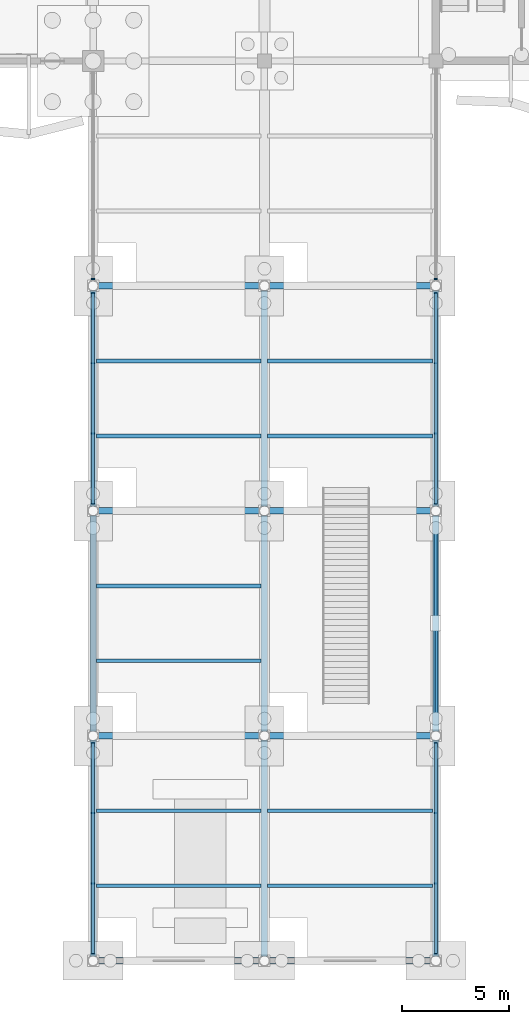
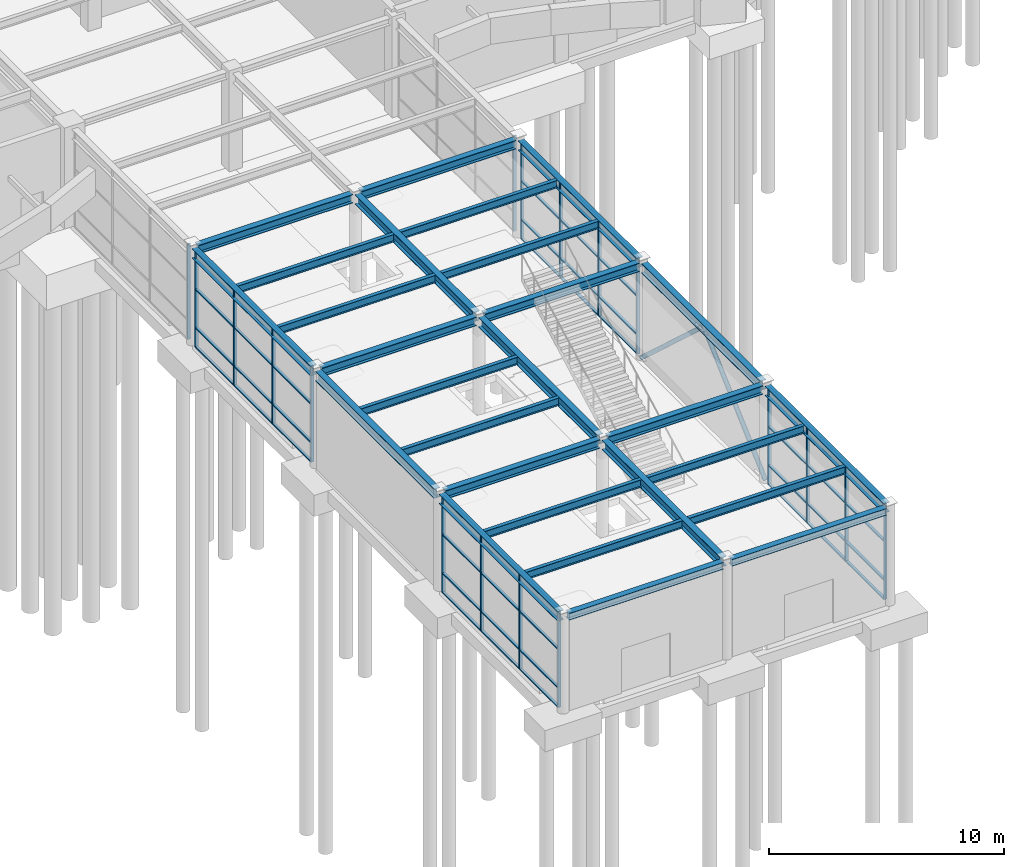
# One storey, part 41 of 85: 36 members, 27 beams, 6 elements without a shape of their own.
"""IFC4 building model written with IfcOpenShell, lengths in metres."""

from ifc_helpers import new_model, si_unit, direction, frame, origin, origin_2d, place, context, subcontext, project, spatial, rectangle, hollow_circle, i_section, extrude, material, layer, layer_set, material_profile, profile_set, type_object, element, aggregate, save


model = new_model("IFC4")

# Units and contexts
model_context = context("Model", 3, precision=1e-05, world=origin(), true_north=direction((0.0, 1.0)))
body_context = subcontext(model_context, "Body", "Model", "MODEL_VIEW")
ifc_project = project(units=[si_unit("LENGTHUNIT", "METRE"), si_unit("AREAUNIT", "SQUARE_METRE"), si_unit("VOLUMEUNIT", "CUBIC_METRE"), si_unit("PLANEANGLEUNIT", "RADIAN"), si_unit("MASSUNIT", "GRAM", prefix="KILO")], contexts=[model_context])

# Site, building, storey
site_placement = place(None, origin())
site = spatial("IfcSite", under=ifc_project, at=site_placement, CompositionType="ELEMENT")
building_placement = place(site_placement, origin())
building = spatial("IfcBuilding", under=site, at=building_placement, Name="Keelwater Ferry Terminal", CompositionType="ELEMENT")
storey_placement = place(building_placement, origin())
storey = spatial("IfcBuildingStorey", under=building, at=storey_placement, Name="L00", CompositionType="ELEMENT", Elevation=0.0)

# Members
ifc_material_1 = material(Name="Steel S355", Category="steel")
ifc_material_profile_1 = material_profile(ifc_material_1, hollow_circle(Radius=0.109619140625, WallThickness=0.010009765625, at=origin_2d()), Name="CHS 219.1x10")
ifc_profile_set_1 = profile_set([ifc_material_profile_1], Name="Steel S355")
member_type_1 = type_object("IfcMemberType", Name="BR4 CHS 219.1x10", PredefinedType="BRACE", material=ifc_profile_set_1)
for number, where, z_axis, x_axis, name in (
    (1, (148.0, 10.5, 0.0), (0.0, 0.737324908728, 0.675538288307), (-1.0, 0.0, 0.0), "Structural Member MB-L00-0593"),
    (2, (148.0, 21.0, 0.0), (0.0, -0.737324908728, 0.675538288307), (1.0, 0.0, 0.0), "Structural Member MB-L00-0594"),
):
    element("IfcMember", number, at=place(storey_placement, frame(where, z_axis=z_axis, x_axis=x_axis)), inside=storey, type_object=member_type_1, Name=name, PredefinedType="BRACE", context=body_context, shape_type="SweptSolid", body=[
        extrude(hollow_circle(Radius=0.109619140625, WallThickness=0.010009765625, at=origin_2d()), origin(), (0.0, 0.0, 1.0), 7.120361328125),
    ])

# Curtain wall, members
ifc_material_2 = material(Name="Thermally broken unitised aluminium and triple glass", Category="aluminium")
ifc_layer_1 = layer(ifc_material_2, 0.179931640625)
ifc_layer_set_1 = layer_set([ifc_layer_1], Name="Thermally broken unitised aluminium and triple glass")
curtain_wall_type_1 = type_object("IfcCurtainWallType", Name="CW-08 Unitised Curtain Wall 9842x4950", PredefinedType="USERDEFINED", material=ifc_layer_set_1)
curtain_wall_1_placement = place(storey_placement, origin())
curtain_wall_1 = element("IfcCurtainWall", 3, at=curtain_wall_1_placement, inside=storey, type_object=curtain_wall_type_1, Name="Unitised Curtain Wall CW-L00-059", ObjectType="UNITISED CURTAIN WALL", PredefinedType="USERDEFINED")
ifc_material_3 = material(Name="Aluminium mullion", Category="aluminium")
ifc_material_profile_2 = material_profile(ifc_material_3, rectangle(XDim=0.06005859375, YDim=0.14990234375, at=origin_2d()), Name="CWM-03")
ifc_profile_set_2 = profile_set([ifc_material_profile_2], Name="Aluminium mullion")
member_type_2 = type_object("IfcMemberType", Name="CWM-03 Curtain Mullion 60x150", PredefinedType="MULLION", material=ifc_profile_set_2)
member_1_placement = place(storey_placement, frame((132.0, 0.3291015625, 0.0), z_axis=(0.0, 0.0, 1.0), x_axis=(0.0, 1.0, 0.0)))
member_1 = element("IfcMember", 4, at=member_1_placement, type_object=member_type_2, Name="CW-L00-059 Mullion 1", PredefinedType="MULLION", context=body_context, shape_type="SweptSolid", body=[
    extrude(rectangle(XDim=0.06005859375, YDim=0.14990234375, at=origin_2d()), origin(), (0.0, 0.0, 1.0), 4.949951171875),
])
member_2_placement = place(storey_placement, frame((132.0, 3.609619140625, 0.0), z_axis=(0.0, 0.0, 1.0), x_axis=(0.0, 1.0, 0.0)))
member_2 = element("IfcMember", 5, at=member_2_placement, type_object=member_type_2, Name="CW-L00-059 Mullion 2", PredefinedType="MULLION", context=body_context, shape_type="SweptSolid", body=[
    extrude(rectangle(XDim=0.06005859375, YDim=0.14990234375, at=origin_2d()), origin(), (0.0, 0.0, 1.0), 4.949951171875),
])
member_3_placement = place(storey_placement, frame((132.0, 6.890380859375, 0.0), z_axis=(0.0, 0.0, 1.0), x_axis=(0.0, 1.0, 0.0)))
member_3 = element("IfcMember", 6, at=member_3_placement, type_object=member_type_2, Name="CW-L00-059 Mullion 3", PredefinedType="MULLION", context=body_context, shape_type="SweptSolid", body=[
    extrude(rectangle(XDim=0.06005859375, YDim=0.14990234375, at=origin_2d()), origin(), (0.0, 0.0, 1.0), 4.949951171875),
])
member_4_placement = place(storey_placement, frame((132.0, 10.1708984375, 0.0), z_axis=(0.0, 0.0, 1.0), x_axis=(0.0, 1.0, 0.0)))
member_4 = element("IfcMember", 7, at=member_4_placement, type_object=member_type_2, Name="CW-L00-059 Mullion 4", PredefinedType="MULLION", context=body_context, shape_type="SweptSolid", body=[
    extrude(rectangle(XDim=0.06005859375, YDim=0.14990234375, at=origin_2d()), origin(), (0.0, 0.0, 1.0), 4.949951171875),
])

curtain_wall_2_placement = place(storey_placement, origin())
curtain_wall_2 = element("IfcCurtainWall", 8, at=curtain_wall_2_placement, inside=storey, type_object=curtain_wall_type_1, Name="Unitised Curtain Wall CW-L00-061", ObjectType="UNITISED CURTAIN WALL", PredefinedType="USERDEFINED")
member_5_placement = place(storey_placement, frame((132.0, 21.3291015625, 0.0), z_axis=(0.0, 0.0, 1.0), x_axis=(0.0, 1.0, 0.0)))
member_5 = element("IfcMember", 9, at=member_5_placement, type_object=member_type_2, Name="CW-L00-061 Mullion 1", PredefinedType="MULLION", context=body_context, shape_type="SweptSolid", body=[
    extrude(rectangle(XDim=0.06005859375, YDim=0.14990234375, at=origin_2d()), origin(), (0.0, 0.0, 1.0), 4.949951171875),
])
member_6_placement = place(storey_placement, frame((132.0, 24.609619140625, 0.0), z_axis=(0.0, 0.0, 1.0), x_axis=(0.0, 1.0, 0.0)))
member_6 = element("IfcMember", 10, at=member_6_placement, type_object=member_type_2, Name="CW-L00-061 Mullion 2", PredefinedType="MULLION", context=body_context, shape_type="SweptSolid", body=[
    extrude(rectangle(XDim=0.06005859375, YDim=0.14990234375, at=origin_2d()), origin(), (0.0, 0.0, 1.0), 4.949951171875),
])
member_7_placement = place(storey_placement, frame((132.0, 27.890380859375, 0.0), z_axis=(0.0, 0.0, 1.0), x_axis=(0.0, 1.0, 0.0)))
member_7 = element("IfcMember", 11, at=member_7_placement, type_object=member_type_2, Name="CW-L00-061 Mullion 3", PredefinedType="MULLION", context=body_context, shape_type="SweptSolid", body=[
    extrude(rectangle(XDim=0.06005859375, YDim=0.14990234375, at=origin_2d()), origin(), (0.0, 0.0, 1.0), 4.949951171875),
])
member_8_placement = place(storey_placement, frame((132.0, 31.1708984375, 0.0), z_axis=(0.0, 0.0, 1.0), x_axis=(0.0, 1.0, 0.0)))
member_8 = element("IfcMember", 12, at=member_8_placement, type_object=member_type_2, Name="CW-L00-061 Mullion 4", PredefinedType="MULLION", context=body_context, shape_type="SweptSolid", body=[
    extrude(rectangle(XDim=0.06005859375, YDim=0.14990234375, at=origin_2d()), origin(), (0.0, 0.0, 1.0), 4.949951171875),
])

# Curtain wall, member
ifc_material_4 = material(Name="Thermally broken unitised aluminium and triple glass", Category="aluminium")
ifc_layer_2 = layer(ifc_material_4, 0.179931640625)
ifc_layer_set_2 = layer_set([ifc_layer_2], Name="Thermally broken unitised aluminium and triple glass")
curtain_wall_type_2 = type_object("IfcCurtainWallType", Name="CW-12 Unitised Curtain Wall 9596x4950", PredefinedType="USERDEFINED", material=ifc_layer_set_2)
curtain_wall_3_placement = place(storey_placement, origin())
curtain_wall_3 = element("IfcCurtainWall", 13, at=curtain_wall_3_placement, inside=storey, type_object=curtain_wall_type_2, Name="Unitised Curtain Wall CW-L00-063", ObjectType="UNITISED CURTAIN WALL", PredefinedType="USERDEFINED")
member_9_placement = place(storey_placement, frame((132.0, 31.8291015625, 0.0), z_axis=(0.0, 0.0, 1.0), x_axis=(0.0, 1.0, 0.0)))
member_9 = element("IfcMember", 14, at=member_9_placement, type_object=member_type_2, Name="CW-L00-063 Mullion 1", PredefinedType="MULLION", context=body_context, shape_type="SweptSolid", body=[
    extrude(rectangle(XDim=0.06005859375, YDim=0.14990234375, at=origin_2d()), origin(), (0.0, 0.0, 1.0), 4.949951171875),
])
aggregate(curtain_wall_3, [member_9])

# Curtain wall, members
curtain_wall_4_placement = place(storey_placement, origin())
curtain_wall_4 = element("IfcCurtainWall", 15, at=curtain_wall_4_placement, inside=storey, type_object=curtain_wall_type_1, Name="Unitised Curtain Wall CW-L00-065", ObjectType="UNITISED CURTAIN WALL", PredefinedType="USERDEFINED")
member_10_placement = place(storey_placement, frame((148.0, 0.3291015625, 0.0), z_axis=(0.0, 0.0, 1.0), x_axis=(0.0, 1.0, 0.0)))
member_10 = element("IfcMember", 16, at=member_10_placement, type_object=member_type_2, Name="CW-L00-065 Mullion 1", PredefinedType="MULLION", context=body_context, shape_type="SweptSolid", body=[
    extrude(rectangle(XDim=0.06005859375, YDim=0.14990234375, at=origin_2d()), origin(), (0.0, 0.0, 1.0), 4.949951171875),
])
member_11_placement = place(storey_placement, frame((148.0, 3.609619140625, 0.0), z_axis=(0.0, 0.0, 1.0), x_axis=(0.0, 1.0, 0.0)))
member_11 = element("IfcMember", 17, at=member_11_placement, type_object=member_type_2, Name="CW-L00-065 Mullion 2", PredefinedType="MULLION", context=body_context, shape_type="SweptSolid", body=[
    extrude(rectangle(XDim=0.06005859375, YDim=0.14990234375, at=origin_2d()), origin(), (0.0, 0.0, 1.0), 4.949951171875),
])
member_12_placement = place(storey_placement, frame((148.0, 6.890380859375, 0.0), z_axis=(0.0, 0.0, 1.0), x_axis=(0.0, 1.0, 0.0)))
member_12 = element("IfcMember", 18, at=member_12_placement, type_object=member_type_2, Name="CW-L00-065 Mullion 3", PredefinedType="MULLION", context=body_context, shape_type="SweptSolid", body=[
    extrude(rectangle(XDim=0.06005859375, YDim=0.14990234375, at=origin_2d()), origin(), (0.0, 0.0, 1.0), 4.949951171875),
])
member_13_placement = place(storey_placement, frame((148.0, 10.1708984375, 0.0), z_axis=(0.0, 0.0, 1.0), x_axis=(0.0, 1.0, 0.0)))
member_13 = element("IfcMember", 19, at=member_13_placement, type_object=member_type_2, Name="CW-L00-065 Mullion 4", PredefinedType="MULLION", context=body_context, shape_type="SweptSolid", body=[
    extrude(rectangle(XDim=0.06005859375, YDim=0.14990234375, at=origin_2d()), origin(), (0.0, 0.0, 1.0), 4.949951171875),
])

curtain_wall_5_placement = place(storey_placement, origin())
curtain_wall_5 = element("IfcCurtainWall", 20, at=curtain_wall_5_placement, inside=storey, type_object=curtain_wall_type_1, Name="Unitised Curtain Wall CW-L00-067", ObjectType="UNITISED CURTAIN WALL", PredefinedType="USERDEFINED")
member_14_placement = place(storey_placement, frame((148.0, 21.3291015625, 0.0), z_axis=(0.0, 0.0, 1.0), x_axis=(0.0, 1.0, 0.0)))
member_14 = element("IfcMember", 21, at=member_14_placement, type_object=member_type_2, Name="CW-L00-067 Mullion 1", PredefinedType="MULLION", context=body_context, shape_type="SweptSolid", body=[
    extrude(rectangle(XDim=0.06005859375, YDim=0.14990234375, at=origin_2d()), origin(), (0.0, 0.0, 1.0), 4.949951171875),
])
member_15_placement = place(storey_placement, frame((148.0, 24.609619140625, 0.0), z_axis=(0.0, 0.0, 1.0), x_axis=(0.0, 1.0, 0.0)))
member_15 = element("IfcMember", 22, at=member_15_placement, type_object=member_type_2, Name="CW-L00-067 Mullion 2", PredefinedType="MULLION", context=body_context, shape_type="SweptSolid", body=[
    extrude(rectangle(XDim=0.06005859375, YDim=0.14990234375, at=origin_2d()), origin(), (0.0, 0.0, 1.0), 4.949951171875),
])
member_16_placement = place(storey_placement, frame((148.0, 27.890380859375, 0.0), z_axis=(0.0, 0.0, 1.0), x_axis=(0.0, 1.0, 0.0)))
member_16 = element("IfcMember", 23, at=member_16_placement, type_object=member_type_2, Name="CW-L00-067 Mullion 3", PredefinedType="MULLION", context=body_context, shape_type="SweptSolid", body=[
    extrude(rectangle(XDim=0.06005859375, YDim=0.14990234375, at=origin_2d()), origin(), (0.0, 0.0, 1.0), 4.949951171875),
])
member_17_placement = place(storey_placement, frame((148.0, 31.1708984375, 0.0), z_axis=(0.0, 0.0, 1.0), x_axis=(0.0, 1.0, 0.0)))
member_17 = element("IfcMember", 24, at=member_17_placement, type_object=member_type_2, Name="CW-L00-067 Mullion 4", PredefinedType="MULLION", context=body_context, shape_type="SweptSolid", body=[
    extrude(rectangle(XDim=0.06005859375, YDim=0.14990234375, at=origin_2d()), origin(), (0.0, 0.0, 1.0), 4.949951171875),
])

# Curtain wall, member
ifc_material_5 = material(Name="Thermally broken unitised aluminium and triple glass", Category="aluminium")
ifc_layer_3 = layer(ifc_material_5, 0.179931640625)
ifc_layer_set_3 = layer_set([ifc_layer_3], Name="Thermally broken unitised aluminium and triple glass")
curtain_wall_type_3 = type_object("IfcCurtainWallType", Name="CW-10 Unitised Curtain Wall 9771x4950", PredefinedType="USERDEFINED", material=ifc_layer_set_3)
curtain_wall_6_placement = place(storey_placement, origin())
curtain_wall_6 = element("IfcCurtainWall", 25, at=curtain_wall_6_placement, inside=storey, type_object=curtain_wall_type_3, Name="Unitised Curtain Wall CW-L00-069", ObjectType="UNITISED CURTAIN WALL", PredefinedType="USERDEFINED")
member_18_placement = place(storey_placement, frame((148.0, 31.8291015625, 0.0), z_axis=(0.0, 0.0, 1.0), x_axis=(0.0, 1.0, 0.0)))
member_18 = element("IfcMember", 26, at=member_18_placement, type_object=member_type_2, Name="CW-L00-069 Mullion 1", PredefinedType="MULLION", context=body_context, shape_type="SweptSolid", body=[
    extrude(rectangle(XDim=0.06005859375, YDim=0.14990234375, at=origin_2d()), origin(), (0.0, 0.0, 1.0), 4.949951171875),
])
aggregate(curtain_wall_6, [member_18])

# Member
ifc_material_6 = material(Name="Aluminium mullion", Category="aluminium")
ifc_material_profile_3 = material_profile(ifc_material_6, rectangle(XDim=0.135009765625, YDim=0.06005859375, at=origin_2d()), Name="CWT-03")
ifc_profile_set_3 = profile_set([ifc_material_profile_3], Name="Aluminium mullion")
member_type_3 = type_object("IfcMemberType", Name="CWT-03 Curtain Transom 60x135", PredefinedType="USERDEFINED", material=ifc_profile_set_3)
member_19_placement = place(storey_placement, frame((132.0, 0.3291015625, 0.0), z_axis=(0.0, 1.0, 0.0), x_axis=(-1.0, 0.0, 0.0)))
member_19 = element("IfcMember", 27, at=member_19_placement, type_object=member_type_3, Name="CW-L00-059 Transom 1", ObjectType="TRANSOM", PredefinedType="USERDEFINED", context=body_context, shape_type="SweptSolid", body=[
    extrude(rectangle(XDim=0.135009765625, YDim=0.06005859375, at=origin_2d()), origin(), (0.0, 0.0, 1.0), 9.841796875),
])

member_20_placement = place(storey_placement, frame((132.0, 0.3291015625, 1.0), z_axis=(0.0, 1.0, 0.0), x_axis=(-1.0, 0.0, 0.0)))
member_20 = element("IfcMember", 28, at=member_20_placement, type_object=member_type_3, Name="CW-L00-059 Transom 2", ObjectType="TRANSOM", PredefinedType="USERDEFINED", context=body_context, shape_type="SweptSolid", body=[
    extrude(rectangle(XDim=0.135009765625, YDim=0.06005859375, at=origin_2d()), origin(), (0.0, 0.0, 1.0), 9.841796875),
])

member_21_placement = place(storey_placement, frame((132.0, 0.3291015625, 3.0), z_axis=(0.0, 1.0, 0.0), x_axis=(-1.0, 0.0, 0.0)))
member_21 = element("IfcMember", 29, at=member_21_placement, type_object=member_type_3, Name="CW-L00-059 Transom 3", ObjectType="TRANSOM", PredefinedType="USERDEFINED", context=body_context, shape_type="SweptSolid", body=[
    extrude(rectangle(XDim=0.135009765625, YDim=0.06005859375, at=origin_2d()), origin(), (0.0, 0.0, 1.0), 9.841796875),
])

member_22_placement = place(storey_placement, frame((132.0, 0.3291015625, 4.949951171875), z_axis=(0.0, 1.0, 0.0), x_axis=(-1.0, 0.0, 0.0)))
member_22 = element("IfcMember", 30, at=member_22_placement, type_object=member_type_3, Name="CW-L00-059 Transom 4", ObjectType="TRANSOM", PredefinedType="USERDEFINED", context=body_context, shape_type="SweptSolid", body=[
    extrude(rectangle(XDim=0.135009765625, YDim=0.06005859375, at=origin_2d()), origin(), (0.0, 0.0, 1.0), 9.841796875),
])

aggregate(curtain_wall_1, [member_1, member_2, member_3, member_4, member_19, member_20, member_21, member_22])

member_23_placement = place(storey_placement, frame((132.0, 21.3291015625, 0.0), z_axis=(0.0, 1.0, 0.0), x_axis=(-1.0, 0.0, 0.0)))
member_23 = element("IfcMember", 31, at=member_23_placement, type_object=member_type_3, Name="CW-L00-061 Transom 1", ObjectType="TRANSOM", PredefinedType="USERDEFINED", context=body_context, shape_type="SweptSolid", body=[
    extrude(rectangle(XDim=0.135009765625, YDim=0.06005859375, at=origin_2d()), origin(), (0.0, 0.0, 1.0), 9.841796875),
])

member_24_placement = place(storey_placement, frame((132.0, 21.3291015625, 1.0), z_axis=(0.0, 1.0, 0.0), x_axis=(-1.0, 0.0, 0.0)))
member_24 = element("IfcMember", 32, at=member_24_placement, type_object=member_type_3, Name="CW-L00-061 Transom 2", ObjectType="TRANSOM", PredefinedType="USERDEFINED", context=body_context, shape_type="SweptSolid", body=[
    extrude(rectangle(XDim=0.135009765625, YDim=0.06005859375, at=origin_2d()), origin(), (0.0, 0.0, 1.0), 9.841796875),
])

member_25_placement = place(storey_placement, frame((132.0, 21.3291015625, 3.0), z_axis=(0.0, 1.0, 0.0), x_axis=(-1.0, 0.0, 0.0)))
member_25 = element("IfcMember", 33, at=member_25_placement, type_object=member_type_3, Name="CW-L00-061 Transom 3", ObjectType="TRANSOM", PredefinedType="USERDEFINED", context=body_context, shape_type="SweptSolid", body=[
    extrude(rectangle(XDim=0.135009765625, YDim=0.06005859375, at=origin_2d()), origin(), (0.0, 0.0, 1.0), 9.841796875),
])

member_26_placement = place(storey_placement, frame((132.0, 21.3291015625, 4.949951171875), z_axis=(0.0, 1.0, 0.0), x_axis=(-1.0, 0.0, 0.0)))
member_26 = element("IfcMember", 34, at=member_26_placement, type_object=member_type_3, Name="CW-L00-061 Transom 4", ObjectType="TRANSOM", PredefinedType="USERDEFINED", context=body_context, shape_type="SweptSolid", body=[
    extrude(rectangle(XDim=0.135009765625, YDim=0.06005859375, at=origin_2d()), origin(), (0.0, 0.0, 1.0), 9.841796875),
])

aggregate(curtain_wall_2, [member_5, member_6, member_7, member_8, member_23, member_24, member_25, member_26])

member_27_placement = place(storey_placement, frame((148.0, 0.3291015625, 0.0), z_axis=(0.0, 1.0, 0.0), x_axis=(-1.0, 0.0, 0.0)))
member_27 = element("IfcMember", 35, at=member_27_placement, type_object=member_type_3, Name="CW-L00-065 Transom 1", ObjectType="TRANSOM", PredefinedType="USERDEFINED", context=body_context, shape_type="SweptSolid", body=[
    extrude(rectangle(XDim=0.135009765625, YDim=0.06005859375, at=origin_2d()), origin(), (0.0, 0.0, 1.0), 9.841796875),
])

member_28_placement = place(storey_placement, frame((148.0, 0.3291015625, 1.0), z_axis=(0.0, 1.0, 0.0), x_axis=(-1.0, 0.0, 0.0)))
member_28 = element("IfcMember", 36, at=member_28_placement, type_object=member_type_3, Name="CW-L00-065 Transom 2", ObjectType="TRANSOM", PredefinedType="USERDEFINED", context=body_context, shape_type="SweptSolid", body=[
    extrude(rectangle(XDim=0.135009765625, YDim=0.06005859375, at=origin_2d()), origin(), (0.0, 0.0, 1.0), 9.841796875),
])

member_29_placement = place(storey_placement, frame((148.0, 0.3291015625, 3.0), z_axis=(0.0, 1.0, 0.0), x_axis=(-1.0, 0.0, 0.0)))
member_29 = element("IfcMember", 37, at=member_29_placement, type_object=member_type_3, Name="CW-L00-065 Transom 3", ObjectType="TRANSOM", PredefinedType="USERDEFINED", context=body_context, shape_type="SweptSolid", body=[
    extrude(rectangle(XDim=0.135009765625, YDim=0.06005859375, at=origin_2d()), origin(), (0.0, 0.0, 1.0), 9.841796875),
])

member_30_placement = place(storey_placement, frame((148.0, 0.3291015625, 4.949951171875), z_axis=(0.0, 1.0, 0.0), x_axis=(-1.0, 0.0, 0.0)))
member_30 = element("IfcMember", 38, at=member_30_placement, type_object=member_type_3, Name="CW-L00-065 Transom 4", ObjectType="TRANSOM", PredefinedType="USERDEFINED", context=body_context, shape_type="SweptSolid", body=[
    extrude(rectangle(XDim=0.135009765625, YDim=0.06005859375, at=origin_2d()), origin(), (0.0, 0.0, 1.0), 9.841796875),
])

aggregate(curtain_wall_4, [member_10, member_11, member_12, member_13, member_27, member_28, member_29, member_30])

member_31_placement = place(storey_placement, frame((148.0, 21.3291015625, 0.0), z_axis=(0.0, 1.0, 0.0), x_axis=(-1.0, 0.0, 0.0)))
member_31 = element("IfcMember", 39, at=member_31_placement, type_object=member_type_3, Name="CW-L00-067 Transom 1", ObjectType="TRANSOM", PredefinedType="USERDEFINED", context=body_context, shape_type="SweptSolid", body=[
    extrude(rectangle(XDim=0.135009765625, YDim=0.06005859375, at=origin_2d()), origin(), (0.0, 0.0, 1.0), 9.841796875),
])

member_32_placement = place(storey_placement, frame((148.0, 21.3291015625, 1.0), z_axis=(0.0, 1.0, 0.0), x_axis=(-1.0, 0.0, 0.0)))
member_32 = element("IfcMember", 40, at=member_32_placement, type_object=member_type_3, Name="CW-L00-067 Transom 2", ObjectType="TRANSOM", PredefinedType="USERDEFINED", context=body_context, shape_type="SweptSolid", body=[
    extrude(rectangle(XDim=0.135009765625, YDim=0.06005859375, at=origin_2d()), origin(), (0.0, 0.0, 1.0), 9.841796875),
])

member_33_placement = place(storey_placement, frame((148.0, 21.3291015625, 3.0), z_axis=(0.0, 1.0, 0.0), x_axis=(-1.0, 0.0, 0.0)))
member_33 = element("IfcMember", 41, at=member_33_placement, type_object=member_type_3, Name="CW-L00-067 Transom 3", ObjectType="TRANSOM", PredefinedType="USERDEFINED", context=body_context, shape_type="SweptSolid", body=[
    extrude(rectangle(XDim=0.135009765625, YDim=0.06005859375, at=origin_2d()), origin(), (0.0, 0.0, 1.0), 9.841796875),
])

member_34_placement = place(storey_placement, frame((148.0, 21.3291015625, 4.949951171875), z_axis=(0.0, 1.0, 0.0), x_axis=(-1.0, 0.0, 0.0)))
member_34 = element("IfcMember", 42, at=member_34_placement, type_object=member_type_3, Name="CW-L00-067 Transom 4", ObjectType="TRANSOM", PredefinedType="USERDEFINED", context=body_context, shape_type="SweptSolid", body=[
    extrude(rectangle(XDim=0.135009765625, YDim=0.06005859375, at=origin_2d()), origin(), (0.0, 0.0, 1.0), 9.841796875),
])

aggregate(curtain_wall_5, [member_14, member_15, member_16, member_17, member_31, member_32, member_33, member_34])

# Beams
ifc_material_7 = material(Name="Steel S355", Category="steel")
ifc_material_profile_4 = material_profile(ifc_material_7, i_section(OverallWidth=0.300048828125, OverallDepth=0.5, WebThickness=0.014404296875, FlangeThickness=0.028076171875, at=origin_2d()), Name="HEB 500")
ifc_profile_set_4 = profile_set([ifc_material_profile_4], Name="Steel S355")
beam_type_1 = type_object("IfcBeamType", Name="G5 HEB 500", PredefinedType="BEAM", material=ifc_profile_set_4)
for number, where, z_axis, x_axis, name in (
    (43, (140.0, 0.2080078125, 4.81005859375), (0.0, 1.0, 0.0), (-1.0, 0.0, 0.0), "Beam BM-L00-0256"),
    (44, (140.0, 10.7080078125, 4.81005859375), (0.0, 1.0, 0.0), (-1.0, 0.0, 0.0), "Beam BM-L00-0257"),
    (45, (140.0, 21.2080078125, 4.81005859375), (0.0, 1.0, 0.0), (-1.0, 0.0, 0.0), "Beam BM-L00-0258"),
):
    element("IfcBeam", number, at=place(storey_placement, frame(where, z_axis=z_axis, x_axis=x_axis)), inside=storey, type_object=beam_type_1, Name=name, PredefinedType="BEAM", context=body_context, shape_type="SweptSolid", body=[
        extrude(i_section(OverallWidth=0.300048828125, OverallDepth=0.5, WebThickness=0.014404296875, FlangeThickness=0.028076171875, at=origin_2d()), origin(), (0.0, 0.0, 1.0), 10.083984375),
    ])
ifc_material_8 = material(Name="Steel S355", Category="steel")
ifc_material_profile_5 = material_profile(ifc_material_8, i_section(OverallWidth=0.300048828125, OverallDepth=0.5, WebThickness=0.014404296875, FlangeThickness=0.028076171875, at=origin_2d()), Name="HEB 500")
ifc_profile_set_5 = profile_set([ifc_material_profile_5], Name="Steel S355")
beam_type_2 = type_object("IfcBeamType", Name="G5E HEB 500", PredefinedType="BEAM", material=ifc_profile_set_5)
for number, where, z_axis, x_axis, name in (
    (46, (132.0, 0.2080078125, 4.81005859375), (0.0, 1.0, 0.0), (-1.0, 0.0, 0.0), "Beam BM-L00-0244"),
    (47, (132.0, 10.7080078125, 4.81005859375), (0.0, 1.0, 0.0), (-1.0, 0.0, 0.0), "Beam BM-L00-0245"),
    (48, (132.0, 21.2080078125, 4.81005859375), (0.0, 1.0, 0.0), (-1.0, 0.0, 0.0), "Beam BM-L00-0246"),
    (49, (148.0, 0.2080078125, 4.81005859375), (0.0, 1.0, 0.0), (-1.0, 0.0, 0.0), "Beam BM-L00-0267"),
    (50, (148.0, 10.7080078125, 4.81005859375), (0.0, 1.0, 0.0), (-1.0, 0.0, 0.0), "Beam BM-L00-0268"),
    (51, (148.0, 21.2080078125, 4.81005859375), (0.0, 1.0, 0.0), (-1.0, 0.0, 0.0), "Beam BM-L00-0269"),
):
    element("IfcBeam", number, at=place(storey_placement, frame(where, z_axis=z_axis, x_axis=x_axis)), inside=storey, type_object=beam_type_2, Name=name, PredefinedType="BEAM", context=body_context, shape_type="SweptSolid", body=[
        extrude(i_section(OverallWidth=0.300048828125, OverallDepth=0.5, WebThickness=0.014404296875, FlangeThickness=0.028076171875, at=origin_2d()), origin(), (0.0, 0.0, 1.0), 10.083984375),
    ])
ifc_material_9 = material(Name="Steel S355", Category="steel")
ifc_material_profile_6 = material_profile(ifc_material_9, i_section(OverallWidth=0.300048828125, OverallDepth=0.449951171875, WebThickness=0.013916015625, FlangeThickness=0.02587890625, at=origin_2d()), Name="HEB 450")
ifc_profile_set_6 = profile_set([ifc_material_profile_6], Name="Steel S355")
beam_type_3 = type_object("IfcBeamType", Name="G6 HEB 450", PredefinedType="BEAM", material=ifc_profile_set_6)
for number, where, z_axis, x_axis, name in (
    (52, (132.2080078125, 10.5, 4.8349609375), (1.0, 0.0, 0.0), (0.0, 1.0, 0.0), "Beam BM-L00-0007"),
    (53, (140.2080078125, 10.5, 4.8349609375), (1.0, 0.0, 0.0), (0.0, 1.0, 0.0), "Beam BM-L00-0008"),
    (54, (132.2080078125, 21.0, 4.8349609375), (1.0, 0.0, 0.0), (0.0, 1.0, 0.0), "Beam BM-L00-0011"),
    (55, (140.2080078125, 21.0, 4.8349609375), (1.0, 0.0, 0.0), (0.0, 1.0, 0.0), "Beam BM-L00-0012"),
    (56, (132.2080078125, 31.5, 4.8349609375), (1.0, 0.0, 0.0), (0.0, 1.0, 0.0), "Beam BM-L00-0015"),
    (57, (140.2080078125, 31.5, 4.8349609375), (1.0, 0.0, 0.0), (0.0, 1.0, 0.0), "Beam BM-L00-0016"),
):
    element("IfcBeam", number, at=place(storey_placement, frame(where, z_axis=z_axis, x_axis=x_axis)), inside=storey, type_object=beam_type_3, Name=name, PredefinedType="BEAM", context=body_context, shape_type="SweptSolid", body=[
        extrude(i_section(OverallWidth=0.300048828125, OverallDepth=0.449951171875, WebThickness=0.013916015625, FlangeThickness=0.02587890625, at=origin_2d()), origin(), (0.0, 0.0, 1.0), 7.583984375),
    ])
ifc_material_10 = material(Name="Steel S355", Category="steel")
ifc_material_profile_7 = material_profile(ifc_material_10, i_section(OverallWidth=0.179931640625, OverallDepth=0.39990234375, WebThickness=0.008544921875, FlangeThickness=0.013427734375, at=origin_2d()), Name="IPE 400")
ifc_profile_set_7 = profile_set([ifc_material_profile_7], Name="Steel S355")
beam_type_4 = type_object("IfcBeamType", Name="J5 IPE 400", PredefinedType="JOIST", material=ifc_profile_set_7)
for number, where, z_axis, x_axis, name in (
    (58, (132.14990234375, 3.5, 4.860107421875), (1.0, 0.0, 0.0), (0.0, 1.0, 0.0), "Beam BM-L00-0501"),
    (59, (132.14990234375, 7.0, 4.860107421875), (1.0, 0.0, 0.0), (0.0, 1.0, 0.0), "Beam BM-L00-0502"),
    (60, (132.14990234375, 14.0, 4.860107421875), (1.0, 0.0, 0.0), (0.0, 1.0, 0.0), "Beam BM-L00-0503"),
    (61, (132.14990234375, 17.5, 4.860107421875), (1.0, 0.0, 0.0), (0.0, 1.0, 0.0), "Beam BM-L00-0504"),
    (62, (132.14990234375, 24.5, 4.860107421875), (1.0, 0.0, 0.0), (0.0, 1.0, 0.0), "Beam BM-L00-0505"),
    (63, (132.14990234375, 28.0, 4.860107421875), (1.0, 0.0, 0.0), (0.0, 1.0, 0.0), "Beam BM-L00-0506"),
    (64, (140.14990234375, 3.5, 4.860107421875), (1.0, 0.0, 0.0), (0.0, 1.0, 0.0), "Beam BM-L00-0523"),
    (65, (140.14990234375, 7.0, 4.860107421875), (1.0, 0.0, 0.0), (0.0, 1.0, 0.0), "Beam BM-L00-0524"),
    (66, (140.14990234375, 24.5, 4.860107421875), (1.0, 0.0, 0.0), (0.0, 1.0, 0.0), "Beam BM-L00-0525"),
    (67, (140.14990234375, 28.0, 4.860107421875), (1.0, 0.0, 0.0), (0.0, 1.0, 0.0), "Beam BM-L00-0526"),
):
    element("IfcBeam", number, at=place(storey_placement, frame(where, z_axis=z_axis, x_axis=x_axis)), inside=storey, type_object=beam_type_4, Name=name, PredefinedType="JOIST", context=body_context, shape_type="SweptSolid", body=[
        extrude(i_section(OverallWidth=0.179931640625, OverallDepth=0.39990234375, WebThickness=0.008544921875, FlangeThickness=0.013427734375, at=origin_2d()), origin(), (0.0, 0.0, 1.0), 7.7001953125),
    ])
ifc_material_11 = material(Name="Steel S355", Category="steel")
ifc_material_profile_8 = material_profile(ifc_material_11, i_section(OverallWidth=0.300048828125, OverallDepth=0.35009765625, WebThickness=0.010009765625, FlangeThickness=0.017578125, at=origin_2d()), Name="HEA 360")
ifc_profile_set_8 = profile_set([ifc_material_profile_8], Name="Steel S355")
beam_type_5 = type_object("IfcBeamType", Name="SP1E HEA 360", PredefinedType="SPANDREL", material=ifc_profile_set_8)
for number, where, z_axis, x_axis, name in (
    (68, (132.2080078125, 0.0, 4.885009765625), (1.0, 0.0, 0.0), (0.0, 1.0, 0.0), "Beam BM-L00-0003"),
    (69, (140.2080078125, 0.0, 4.885009765625), (1.0, 0.0, 0.0), (0.0, 1.0, 0.0), "Beam BM-L00-0004"),
):
    element("IfcBeam", number, at=place(storey_placement, frame(where, z_axis=z_axis, x_axis=x_axis)), inside=storey, type_object=beam_type_5, Name=name, PredefinedType="SPANDREL", context=body_context, shape_type="SweptSolid", body=[
        extrude(i_section(OverallWidth=0.300048828125, OverallDepth=0.35009765625, WebThickness=0.010009765625, FlangeThickness=0.017578125, at=origin_2d()), origin(), (0.0, 0.0, 1.0), 7.583984375),
    ])

save(model, "model.ifc")
